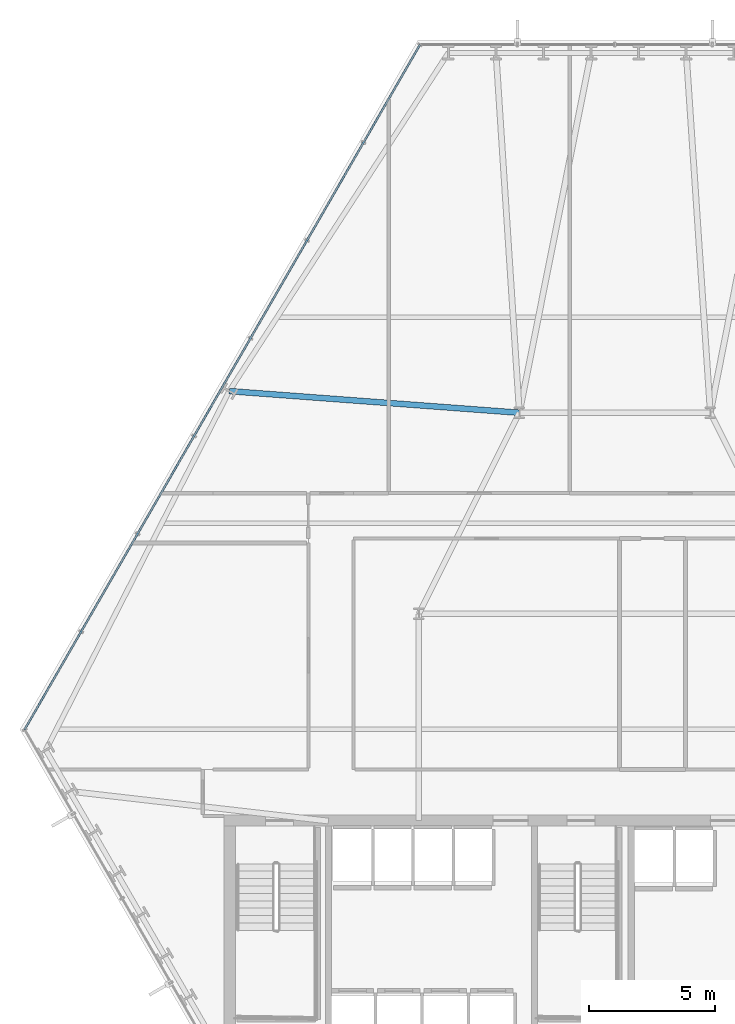
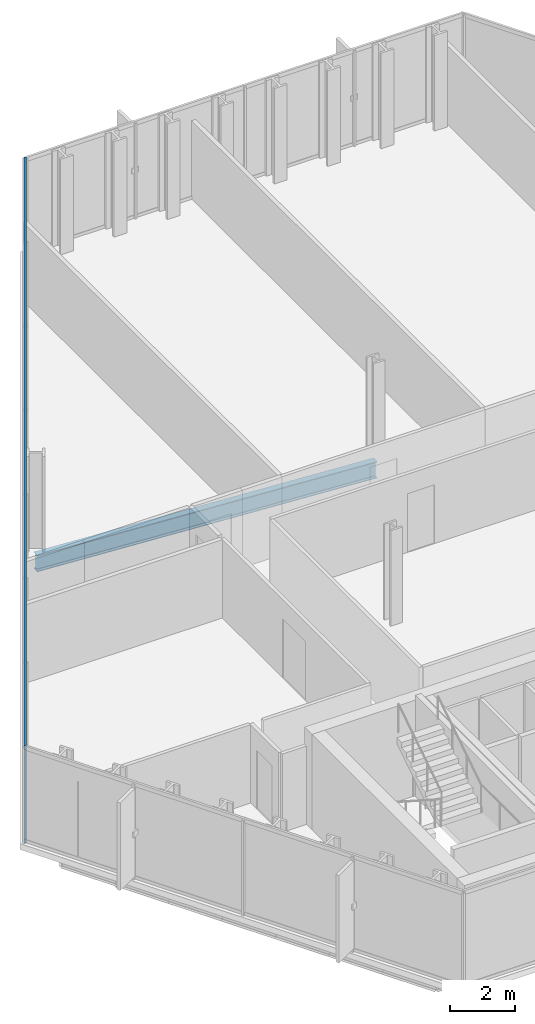
# One storey, part 12 of 32: 2 members, 1 beam, 1 element without a shape of its own.
"""IFC4 building model written with IfcOpenShell, lengths in metres."""

from ifc_helpers import new_model, si_unit, direction, frame, origin, origin_2d, place, context, subcontext, project, spatial, hollow_rectangle, i_section, extrude, material, layer, layer_set, material_profile, profile_set, type_object, element, aggregate, save


model = new_model("IFC4")

# Units and contexts
model_context = context("Model", 3, precision=1e-05, world=origin(), true_north=direction((0.0, 1.0)))
body_context = subcontext(model_context, "Body", "Model", "MODEL_VIEW")
ifc_project = project(units=[si_unit("LENGTHUNIT", "METRE"), si_unit("AREAUNIT", "SQUARE_METRE"), si_unit("VOLUMEUNIT", "CUBIC_METRE"), si_unit("PLANEANGLEUNIT", "RADIAN"), si_unit("MASSUNIT", "GRAM", prefix="KILO")], contexts=[model_context])

# Site, building, storey
site_placement = place(None, origin())
site = spatial("IfcSite", under=ifc_project, at=site_placement, CompositionType="ELEMENT")
building_placement = place(site_placement, origin())
building = spatial("IfcBuilding", under=site, at=building_placement, Name="Ndaravel Arena Tower", CompositionType="ELEMENT")
storey_placement = place(building_placement, frame((0.0, 0.0, 62.60009765625)))
storey = spatial("IfcBuildingStorey", under=building, at=storey_placement, Name="L13", CompositionType="ELEMENT", Elevation=62.60009765625)

# Beam
ifc_material_1 = material(Name="Steel S355", Category="steel")
ifc_material_profile_1 = material_profile(ifc_material_1, i_section(OverallWidth=0.230224609375, OverallDepth=0.6171875, WebThickness=0.01318359375, FlangeThickness=0.022216796875, FilletRadius=0.0126953125, at=origin_2d()), Name="UB 610x229x140")
ifc_profile_set_1 = profile_set([ifc_material_profile_1], Name="Steel S355")
beam_type = type_object("IfcBeamType", Name="BM-GIRD-UB610B", PredefinedType="BEAM", material=ifc_profile_set_1)
beam_placement = place(storey_placement, frame((26.653564453125, 32.060791015625, -0.52880859375), z_axis=(0.997232315228, -0.074348567334, 0.0), x_axis=(0.074348567334, 0.997232315228, 0.0)))
element("IfcBeam", 1, at=beam_placement, inside=storey, type_object=beam_type, Name="L13 Radial Floor Girder FG-19", PredefinedType="BEAM", context=body_context, shape_type="SweptSolid", body=[
    extrude(i_section(OverallWidth=0.230224609375, OverallDepth=0.6171875, WebThickness=0.01318359375, FlangeThickness=0.022216796875, FilletRadius=0.0126953125, at=origin_2d()), origin(), (0.0, 0.0, 1.0), 11.578369140625),
])

# Curtain wall, members
ifc_material_2 = material(Name="Aluminium", Category="aluminium")
ifc_layer = layer(ifc_material_2, 0.179931640625)
ifc_layer_set = layer_set([ifc_layer], Name="Aluminium")
curtain_wall_type = type_object("IfcCurtainWallType", Name="CW-SYS-03", PredefinedType="NOTDEFINED", material=ifc_layer_set)
curtain_wall_placement = place(storey_placement, origin())
curtain_wall = element("IfcCurtainWall", 2, at=curtain_wall_placement, inside=storey, type_object=curtain_wall_type, Name="L13 Faceted Crystal Curtain Wall CW-L13-E05", PredefinedType="NOTDEFINED")
ifc_material_3 = material(Name="Aluminium", Category="aluminium")
ifc_material_profile_2 = material_profile(ifc_material_3, hollow_rectangle(XDim=0.074951171875, YDim=0.14990234375, WallThickness=0.00390625, at=origin_2d()), Name="CW TRANSOM 75x150x4")
ifc_profile_set_2 = profile_set([ifc_material_profile_2], Name="Aluminium")
member_type = type_object("IfcMemberType", Name="MEM-CW-TRN150", PredefinedType="USERDEFINED", material=ifc_profile_set_2)
member_1_placement = place(storey_placement, frame((34.243896484375, 45.847900390625, 0.039794921875), z_axis=(-0.500001365865, -0.8660246152, 0.0), x_axis=(0.8660246152, -0.500001365865, 0.0)))
member_1 = element("IfcMember", 3, at=member_1_placement, type_object=member_type, Name="CW-L13-E05 Transom 01", ObjectType="TRANSOM", PredefinedType="USERDEFINED", context=body_context, shape_type="SweptSolid", body=[
    extrude(hollow_rectangle(XDim=0.074951171875, YDim=0.14990234375, WallThickness=0.00390625, at=origin_2d()), origin(), (0.0, 0.0, 1.0), 31.47021484375),
])
member_2_placement = place(storey_placement, frame((34.243896484375, 45.847900390625, 3.539794921875), z_axis=(-0.500001365865, -0.8660246152, 0.0), x_axis=(0.8660246152, -0.500001365865, 0.0)))
member_2 = element("IfcMember", 4, at=member_2_placement, type_object=member_type, Name="CW-L13-E05 Transom 02", ObjectType="TRANSOM", PredefinedType="USERDEFINED", context=body_context, shape_type="SweptSolid", body=[
    extrude(hollow_rectangle(XDim=0.074951171875, YDim=0.14990234375, WallThickness=0.00390625, at=origin_2d()), origin(), (0.0, 0.0, 1.0), 31.47021484375),
])
aggregate(curtain_wall, [member_1, member_2])

save(model, "model.ifc")
